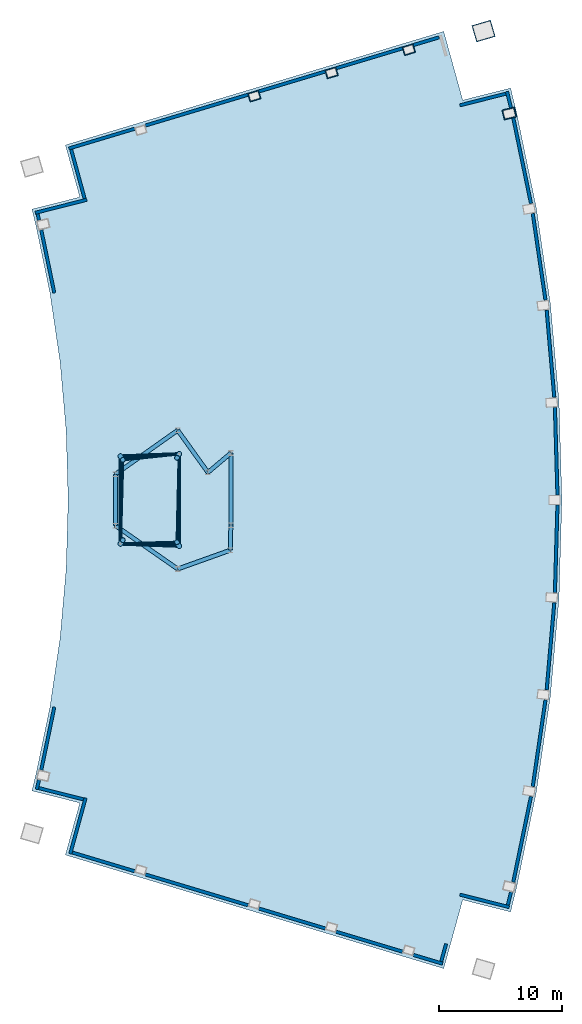
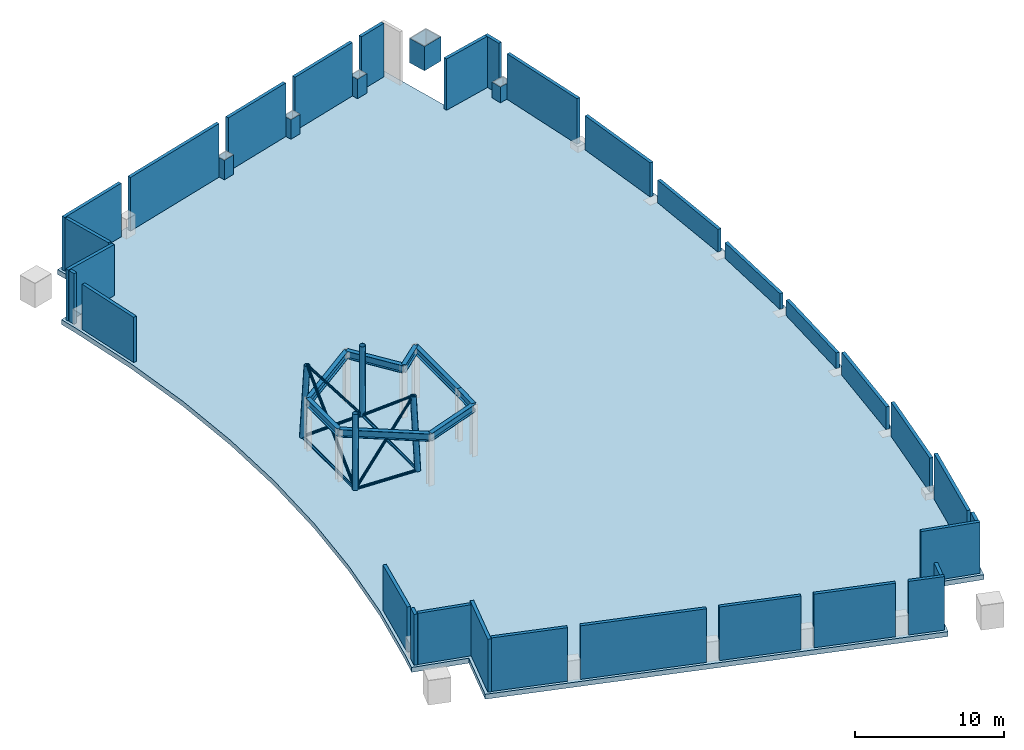
# One storey, part 2 of 4: 31 walls, 12 members, 8 beams, 5 columns, 1 slab.
"""IFC4 building model written with IfcOpenShell, lengths in metres."""

from ifc_helpers import new_model, si_unit, direction, frame, frame_2d, origin, origin_2d, place, context, subcontext, project, spatial, polyline, rectangle, hollow_rectangle, hollow_circle, i_section, outline, extrude, material, layer, layer_set, material_profile, profile_set, type_object, element, save


model = new_model("IFC4")

# Units and contexts
model_context = context("Model", 3, precision=1e-05, world=origin(), true_north=direction((0.0, 1.0)))
body_context = subcontext(model_context, "Body", "Model", "MODEL_VIEW")
ifc_project = project(units=[si_unit("LENGTHUNIT", "METRE"), si_unit("AREAUNIT", "SQUARE_METRE"), si_unit("VOLUMEUNIT", "CUBIC_METRE"), si_unit("PLANEANGLEUNIT", "RADIAN"), si_unit("MASSUNIT", "GRAM", prefix="KILO")], contexts=[model_context])

# Site, building, storey
site_placement = place(None, origin())
site = spatial("IfcSite", under=ifc_project, at=site_placement, CompositionType="ELEMENT")
building_placement = place(site_placement, origin())
building = spatial("IfcBuilding", under=site, at=building_placement, Name="Alderwake Tower", CompositionType="ELEMENT")
storey_placement = place(building_placement, frame((0.0, 0.0, 314.60009765625)))
storey = spatial("IfcBuildingStorey", under=building, at=storey_placement, Name="Roof", CompositionType="ELEMENT", Elevation=314.60009765625)

# Columns
ifc_material_1 = material(Name="Steel ASTM A572 Grade 50 concrete filled C70/85", Category="concrete")
ifc_material_profile_1 = material_profile(ifc_material_1, hollow_rectangle(XDim=0.699951171875, YDim=0.89990234375, WallThickness=0.050048828125, at=origin_2d()), Name="BOX 900X700X50")
ifc_profile_set_1 = profile_set([ifc_material_profile_1], Name="Steel ASTM A572 Grade 50 concrete filled C70/85")
column_type_1 = type_object("IfcColumnType", Name="End column Z5", PredefinedType="COLUMN", material=ifc_profile_set_1)
for number, where, z_axis, x_axis, name in (
    (1, (31.080322265625, 93.72314453125, 0.0), (0.0, 0.0, 1.0), (-0.282582549822, 0.959242984095, 0.0), "Column R12-C2"),
    (2, (37.337890625, 95.601806640625, 0.0), (0.0, 0.0, 1.0), (-0.282847061859, 0.959165022088, 0.0), "Column R12-C3"),
    (3, (43.59521484375, 97.48046875, 0.0), (0.0, 0.0, 1.0), (-0.283086443451, 0.959094398656, 0.0), "Column R12-C4"),
):
    element("IfcColumn", number, at=place(storey_placement, frame(where, z_axis=z_axis, x_axis=x_axis)), inside=storey, type_object=column_type_1, Name=name, PredefinedType="COLUMN", context=body_context, shape_type="SweptSolid", body=[
        extrude(hollow_rectangle(XDim=0.699951171875, YDim=0.89990234375, WallThickness=0.050048828125, at=origin_2d()), origin(), (0.0, 0.0, 1.0), 2.0),
    ])
ifc_material_2 = material(Name="Steel ASTM A572 Grade 50 concrete filled C70/85", Category="concrete")
ifc_material_profile_2 = material_profile(ifc_material_2, hollow_rectangle(XDim=1.39990234375, YDim=1.60009765625, WallThickness=0.070068359375, at=origin_2d()), Name="BOX 1600X1400X70")
ifc_profile_set_2 = profile_set([ifc_material_profile_2], Name="Steel ASTM A572 Grade 50 concrete filled C70/85")
column_type_2 = type_object("IfcColumnType", Name="Mega column Z5", PredefinedType="COLUMN", material=ifc_profile_set_2)
column_1_placement = place(storey_placement, frame((49.6494140625, 98.98681640625, 0.0), z_axis=(0.0, 0.0, 1.0), x_axis=(-0.281175922972, 0.959656240714, 0.0)))
element("IfcColumn", 4, at=column_1_placement, inside=storey, type_object=column_type_2, Name="Column R12-C5", PredefinedType="COLUMN", context=body_context, shape_type="SweptSolid", body=[
    extrude(hollow_rectangle(XDim=1.39990234375, YDim=1.60009765625, WallThickness=0.070068359375, at=origin_2d()), origin(), (0.0, 0.0, 1.0), 2.0),
])
ifc_material_3 = material(Name="Steel ASTM A572 Grade 50 concrete filled C70/85", Category="concrete")
ifc_material_profile_3 = material_profile(ifc_material_3, hollow_rectangle(XDim=0.800048828125, YDim=1.0, WallThickness=0.054931640625, at=origin_2d()), Name="BOX 1000X800X55")
ifc_profile_set_3 = profile_set([ifc_material_profile_3], Name="Steel ASTM A572 Grade 50 concrete filled C70/85")
column_type_3 = type_object("IfcColumnType", Name="Perimeter column Z5", PredefinedType="COLUMN", material=ifc_profile_set_3)
column_2_placement = place(storey_placement, frame((51.730712890625, 92.307373046875, 0.0), z_axis=(0.0, 0.0, 1.0), x_axis=(-0.231221547198, 0.972901123502, 0.0)))
element("IfcColumn", 5, at=column_2_placement, inside=storey, type_object=column_type_3, Name="Column R11-C5", PredefinedType="COLUMN", context=body_context, shape_type="SweptSolid", body=[
    extrude(hollow_rectangle(XDim=0.800048828125, YDim=1.0, WallThickness=0.054931640625, at=origin_2d()), origin(), (0.0, 0.0, 1.0), 1.6943359375),
])

# Beams
ifc_material_4 = material(Name="Steel ASTM A992 Grade 50", Category="steel")
ifc_material_profile_4 = material_profile(ifc_material_4, i_section(OverallWidth=0.32373046875, OverallDepth=0.611083984375, WebThickness=0.0126953125, FlangeThickness=0.01904296875, at=origin_2d()), Name="W24X104")
ifc_profile_set_4 = profile_set([ifc_material_profile_4], Name="Steel ASTM A992 Grade 50")
beam_type = type_object("IfcBeamType", Name="Drum ring beam W24X104", PredefinedType="BEAM", material=ifc_profile_set_4)
beam_1_placement = place(storey_placement, frame((19.830810546875, 58.92333984375, 4.344482421875), z_axis=(0.820790261521, -0.571229679369, 0.0), x_axis=(0.571229679369, 0.820790261521, 0.0)))
element("IfcBeam", 6, at=beam_1_placement, inside=storey, type_object=beam_type, Name="Drum ring beam DB.1", PredefinedType="BEAM", context=body_context, shape_type="SweptSolid", body=[
    extrude(i_section(OverallWidth=0.32373046875, OverallDepth=0.611083984375, WebThickness=0.0126953125, FlangeThickness=0.01904296875, at=origin_2d()), origin(), (0.0, 0.0, 1.0), 6.1484375),
])
beam_2_placement = place(storey_placement, frame((24.87744140625, 55.4111328125, 4.344482421875), z_axis=(0.941502336554, 0.337006454336, 0.0), x_axis=(-0.337006454336, 0.941502336554, 0.0)))
element("IfcBeam", 7, at=beam_2_placement, inside=storey, type_object=beam_type, Name="Drum ring beam DB.2", PredefinedType="BEAM", context=body_context, shape_type="SweptSolid", body=[
    extrude(i_section(OverallWidth=0.32373046875, OverallDepth=0.611083984375, WebThickness=0.0126953125, FlangeThickness=0.01904296875, at=origin_2d()), origin(), (0.0, 0.0, 1.0), 4.5234375),
])
beam_3_placement = place(storey_placement, frame((29.13623046875, 56.935546875, 4.344482421875), z_axis=(0.022115291966, 0.999755427023, 0.0), x_axis=(-0.999755427023, 0.022115291966, 0.0)))
element("IfcBeam", 8, at=beam_3_placement, inside=storey, type_object=beam_type, Name="Drum ring beam DB.3", PredefinedType="BEAM", context=body_context, shape_type="SweptSolid", body=[
    extrude(i_section(OverallWidth=0.32373046875, OverallDepth=0.611083984375, WebThickness=0.0126953125, FlangeThickness=0.01904296875, at=origin_2d()), origin(), (0.0, 0.0, 1.0), 2.03125),
])
beam_4_placement = place(storey_placement, frame((29.18115234375, 58.96630859375, 4.344482421875), z_axis=(0.000919462979, 0.999999577294, 0.0), x_axis=(-0.999999577294, 0.000919462979, 0.0)))
element("IfcBeam", 9, at=beam_4_placement, inside=storey, type_object=beam_type, Name="Drum ring beam DB.4", PredefinedType="BEAM", context=body_context, shape_type="SweptSolid", body=[
    extrude(i_section(OverallWidth=0.32373046875, OverallDepth=0.611083984375, WebThickness=0.0126953125, FlangeThickness=0.01904296875, at=origin_2d()), origin(), (0.0, 0.0, 1.0), 5.841552734375),
])
beam_5_placement = place(storey_placement, frame((29.1865234375, 64.807861328125, 4.344482421875), z_axis=(-0.763382487862, -0.645946729402, 0.0), x_axis=(0.645946729402, -0.763382487862, 0.0)))
element("IfcBeam", 10, at=beam_5_placement, inside=storey, type_object=beam_type, Name="Drum ring beam DB.5", PredefinedType="BEAM", context=body_context, shape_type="SweptSolid", body=[
    extrude(i_section(OverallWidth=0.32373046875, OverallDepth=0.611083984375, WebThickness=0.0126953125, FlangeThickness=0.01904296875, at=origin_2d()), origin(), (0.0, 0.0, 1.0), 2.4384765625),
])
beam_6_placement = place(storey_placement, frame((27.324951171875, 63.232666015625, 4.344482421875), z_axis=(-0.582753639621, 0.812648875904, 0.0), x_axis=(-0.812648875904, -0.582753639621, 0.0)))
element("IfcBeam", 11, at=beam_6_placement, inside=storey, type_object=beam_type, Name="Drum ring beam DB.6", PredefinedType="BEAM", context=body_context, shape_type="SweptSolid", body=[
    extrude(i_section(OverallWidth=0.32373046875, OverallDepth=0.611083984375, WebThickness=0.0126953125, FlangeThickness=0.01904296875, at=origin_2d()), origin(), (0.0, 0.0, 1.0), 4.203369140625),
])
beam_7_placement = place(storey_placement, frame((24.87548828125, 66.6484375, 4.344482421875), z_axis=(-0.816754690264, -0.576985074272, 0.0), x_axis=(0.576985074272, -0.816754690264, 0.0)))
element("IfcBeam", 12, at=beam_7_placement, inside=storey, type_object=beam_type, Name="Drum ring beam DB.7", PredefinedType="BEAM", context=body_context, shape_type="SweptSolid", body=[
    extrude(i_section(OverallWidth=0.32373046875, OverallDepth=0.611083984375, WebThickness=0.0126953125, FlangeThickness=0.01904296875, at=origin_2d()), origin(), (0.0, 0.0, 1.0), 6.19091796875),
])
beam_8_placement = place(storey_placement, frame((19.819091796875, 63.076416015625, 4.344482421875), z_axis=(0.00282169237, -0.999996019018, 0.0), x_axis=(0.999996019018, 0.00282169237, 0.0)))
element("IfcBeam", 13, at=beam_8_placement, inside=storey, type_object=beam_type, Name="Drum ring beam DB.8", PredefinedType="BEAM", context=body_context, shape_type="SweptSolid", body=[
    extrude(i_section(OverallWidth=0.32373046875, OverallDepth=0.611083984375, WebThickness=0.0126953125, FlangeThickness=0.01904296875, at=origin_2d()), origin(), (0.0, 0.0, 1.0), 4.153076171875),
])

# Members
ifc_material_5 = material(Name="Steel ASTM A500 Grade C", Category="steel")
ifc_material_profile_5 = material_profile(ifc_material_5, hollow_circle(Radius=0.084228515625, WallThickness=0.006591796875, at=origin_2d()), Name="HSS6.625X0.280")
ifc_profile_set_5 = profile_set([ifc_material_profile_5], Name="Steel ASTM A500 Grade C")
member_type_1 = type_object("IfcMemberType", Name="Mast diagonal HSS6.625X0.280", PredefinedType="USERDEFINED", material=ifc_profile_set_5)
member_1_placement = place(storey_placement, frame((20.2373046875, 57.451904296875, 0.39990234375), z_axis=(0.6069413699, 0.017426165151, 0.794555537563), x_axis=(-0.028699620502, 0.999588081053, 0.0)))
element("IfcMember", 14, at=member_1_placement, inside=storey, type_object=member_type_1, Name="Mast diagonal MD1.1", ObjectType="MAST", PredefinedType="USERDEFINED", context=body_context, shape_type="SweptSolid", body=[
    extrude(hollow_circle(Radius=0.084228515625, WallThickness=0.006591796875, at=origin_2d()), origin(), (0.0, 0.0, 1.0), 7.55126953125),
])
member_2_placement = place(storey_placement, frame((24.990478515625, 64.72998046875, 0.39990234375), z_axis=(-0.604469756796, -0.063267856086, 0.794111762603), x_axis=(0.104098052217, -0.994567039231, 0.0)))
element("IfcMember", 15, at=member_2_placement, inside=storey, type_object=member_type_1, Name="Mast diagonal MD2.1", ObjectType="MAST", PredefinedType="USERDEFINED", context=body_context, shape_type="SweptSolid", body=[
    extrude(hollow_circle(Radius=0.084228515625, WallThickness=0.006591796875, at=origin_2d()), origin(), (0.0, 0.0, 1.0), 7.5556640625),
])
member_3_placement = place(storey_placement, frame((20.2373046875, 57.451904296875, 0.39990234375), z_axis=(0.020509749544, 0.749682485621, 0.66147979631), x_axis=(-0.999625982188, 0.027347682419, 0.0)))
element("IfcMember", 16, at=member_3_placement, inside=storey, type_object=member_type_1, Name="Mast diagonal MD3.1", ObjectType="MAST", PredefinedType="USERDEFINED", context=body_context, shape_type="SweptSolid", body=[
    extrude(hollow_circle(Radius=0.084228515625, WallThickness=0.006591796875, at=origin_2d()), origin(), (0.0, 0.0, 1.0), 9.070556640625),
])
member_4_placement = place(storey_placement, frame((24.990478515625, 64.72998046875, 0.39990234375), z_axis=(-0.01820696012, -0.76573870205, 0.642894040092), x_axis=(0.999717447214, -0.023770269994, 0.0)))
element("IfcMember", 17, at=member_4_placement, inside=storey, type_object=member_type_1, Name="Mast diagonal MD4.1", ObjectType="MAST", PredefinedType="USERDEFINED", context=body_context, shape_type="SweptSolid", body=[
    extrude(hollow_circle(Radius=0.084228515625, WallThickness=0.006591796875, at=origin_2d()), origin(), (0.0, 0.0, 1.0), 9.332763671875),
])
ifc_material_6 = material(Name="Steel ASTM A500 Grade C", Category="steel")
ifc_material_profile_6 = material_profile(ifc_material_6, hollow_circle(Radius=0.203125, WallThickness=0.01171875, at=origin_2d()), Name="HSS16.000X0.500")
ifc_profile_set_6 = profile_set([ifc_material_profile_6], Name="Steel ASTM A500 Grade C")
member_type_2 = type_object("IfcMemberType", Name="Mast leg HSS16.000X0.500", PredefinedType="USERDEFINED", material=ifc_profile_set_6)
member_5_placement = place(storey_placement, frame((20.2373046875, 57.451904296875, 0.39990234375), z_axis=(0.030953322217, 0.049273464369, 0.998305573235), x_axis=(-0.846780302304, 0.531942778529, 0.0)))
element("IfcMember", 18, at=member_5_placement, inside=storey, type_object=member_type_2, Name="Mast leg ML1.1", ObjectType="MAST", PredefinedType="USERDEFINED", context=body_context, shape_type="SweptSolid", body=[
    extrude(hollow_circle(Radius=0.203125, WallThickness=0.01171875, at=origin_2d()), origin(), (0.0, 0.0, 1.0), 6.01025390625),
])
member_6_placement = place(storey_placement, frame((24.98974609375, 57.269775390625, 0.39990234375), z_axis=(-0.028148617012, 0.052194766033, 0.998240132312), x_axis=(-0.880163000135, -0.474671563497, 0.0)))
element("IfcMember", 19, at=member_6_placement, inside=storey, type_object=member_type_2, Name="Mast leg ML2.1", ObjectType="MAST", PredefinedType="USERDEFINED", context=body_context, shape_type="SweptSolid", body=[
    extrude(hollow_circle(Radius=0.203125, WallThickness=0.01171875, at=origin_2d()), origin(), (0.0, 0.0, 1.0), 6.010498046875),
])
member_7_placement = place(storey_placement, frame((20.2373046875, 64.548095703125, 0.39990234375), z_axis=(0.030953322217, -0.049273464369, 0.998305573235), x_axis=(0.846780302304, 0.531942778529, 0.0)))
element("IfcMember", 20, at=member_7_placement, inside=storey, type_object=member_type_2, Name="Mast leg ML3.1", ObjectType="MAST", PredefinedType="USERDEFINED", context=body_context, shape_type="SweptSolid", body=[
    extrude(hollow_circle(Radius=0.203125, WallThickness=0.01171875, at=origin_2d()), origin(), (0.0, 0.0, 1.0), 6.01025390625),
])
member_8_placement = place(storey_placement, frame((24.990478515625, 64.72998046875, 0.39990234375), z_axis=(-0.028148617012, -0.052194766033, 0.998240132312), x_axis=(0.880163000135, -0.474671563497, 0.0)))
element("IfcMember", 21, at=member_8_placement, inside=storey, type_object=member_type_2, Name="Mast leg ML4.1", ObjectType="MAST", PredefinedType="USERDEFINED", context=body_context, shape_type="SweptSolid", body=[
    extrude(hollow_circle(Radius=0.203125, WallThickness=0.01171875, at=origin_2d()), origin(), (0.0, 0.0, 1.0), 6.010498046875),
])
ifc_material_7 = material(Name="Steel ASTM A500 Grade C", Category="steel")
ifc_material_profile_7 = material_profile(ifc_material_7, hollow_circle(Radius=0.109619140625, WallThickness=0.007568359375, at=origin_2d()), Name="HSS8.625X0.322")
ifc_profile_set_7 = profile_set([ifc_material_profile_7], Name="Steel ASTM A500 Grade C")
member_type_3 = type_object("IfcMemberType", Name="Mast ring HSS8.625X0.322", PredefinedType="USERDEFINED", material=ifc_profile_set_7)
member_9_placement = place(storey_placement, frame((20.2373046875, 57.451904296875, 0.39990234375), z_axis=(0.999266472895, -0.038295119119, 0.0), x_axis=(0.038295119119, 0.999266472895, 0.0)))
element("IfcMember", 22, at=member_9_placement, inside=storey, type_object=member_type_3, Name="Mast ring MH1.0", ObjectType="MAST", PredefinedType="USERDEFINED", context=body_context, shape_type="SweptSolid", body=[
    extrude(hollow_circle(Radius=0.109619140625, WallThickness=0.007568359375, at=origin_2d()), origin(), (0.0, 0.0, 1.0), 4.755859375),
])
member_10_placement = place(storey_placement, frame((20.2373046875, 64.548095703125, 0.39990234375), z_axis=(0.999268661172, 0.038237975888, 0.0), x_axis=(-0.038237975888, 0.999268661172, 0.0)))
element("IfcMember", 23, at=member_10_placement, inside=storey, type_object=member_type_3, Name="Mast ring MH2.0", ObjectType="MAST", PredefinedType="USERDEFINED", context=body_context, shape_type="SweptSolid", body=[
    extrude(hollow_circle(Radius=0.109619140625, WallThickness=0.007568359375, at=origin_2d()), origin(), (0.0, 0.0, 1.0), 4.756591796875),
])
member_11_placement = place(storey_placement, frame((20.2373046875, 57.451904296875, 0.39990234375), z_axis=(0.0, 1.0, 0.0), x_axis=(-1.0, 0.0, 0.0)))
element("IfcMember", 24, at=member_11_placement, inside=storey, type_object=member_type_3, Name="Mast ring MH3.0", ObjectType="MAST", PredefinedType="USERDEFINED", context=body_context, shape_type="SweptSolid", body=[
    extrude(hollow_circle(Radius=0.109619140625, WallThickness=0.007568359375, at=origin_2d()), origin(), (0.0, 0.0, 1.0), 7.09619140625),
])
member_12_placement = place(storey_placement, frame((24.98974609375, 57.269775390625, 0.39990234375), z_axis=(9.8177177e-05, 0.999999995181, 0.0), x_axis=(-0.999999995181, 9.8177177e-05, 0.0)))
element("IfcMember", 25, at=member_12_placement, inside=storey, type_object=member_type_3, Name="Mast ring MH4.0", ObjectType="MAST", PredefinedType="USERDEFINED", context=body_context, shape_type="SweptSolid", body=[
    extrude(hollow_circle(Radius=0.109619140625, WallThickness=0.007568359375, at=origin_2d()), origin(), (0.0, 0.0, 1.0), 7.460205078125),
])

# Slab
ifc_material_8 = material(Name="Concrete C50/60", Category="concrete")
ifc_layer_1 = layer(ifc_material_8, 0.39990234375)
ifc_layer_set_1 = layer_set([ifc_layer_1], Name="Concrete C50/60 roof slab 400")
slab_type = type_object("IfcSlabType", Name="Concrete C50/60 roof slab 400", PredefinedType="ROOF", material=ifc_layer_set_1)
slab_placement = place(storey_placement, origin())
element("IfcSlab", 26, at=slab_placement, inside=storey, type_object=slab_type, Name="Roof slab L75", PredefinedType="ROOF", context=body_context, shape_type="SweptSolid", body=[
    extrude(outline(polyline([(15.776611328125, 32.2451171875), (46.425048828125, 23.04345703125), (47.964111328125, 28.609130859375), (51.841796875, 27.627685546875), (52.314453125, 29.5537109375), (53.9228515625, 37.3212890625), (55.075439453125, 45.169189453125), (55.768798828125, 53.0712890625), (56.0, 61.0), (55.768798828125, 68.9287109375), (55.075439453125, 76.830810546875), (53.9228515625, 84.6787109375), (52.314453125, 92.4462890625), (51.841796875, 94.372314453125), (47.964111328125, 93.390869140625), (46.425048828125, 98.95654296875), (15.776611328125, 89.7548828125), (16.942626953125, 85.53857421875), (13.06494140625, 84.556884765625), (13.3984375, 83.197265625), (14.53369140625, 77.71435546875), (15.347412109375, 72.174560546875), (15.836669921875, 66.5966796875), (16.0, 61.0), (15.836669921875, 55.4033203125), (15.347412109375, 49.825439453125), (14.53369140625, 44.28564453125), (13.3984375, 38.802734375), (13.06494140625, 37.443115234375), (16.942626953125, 36.46142578125), (15.776611328125, 32.2451171875)])), origin(), (0.0, 0.0, 1.0), 0.39990234375),
])

# Walls
ifc_material_9 = material(Name="Precast concrete C50/60 spandrel panel", Category="concrete")
ifc_layer_2 = layer(ifc_material_9, 0.25)
ifc_layer_set_2 = layer_set([ifc_layer_2], Name="Roof parapet PA1 Precast concrete C50/60")
wall_type = type_object("IfcWallType", Name="Roof parapet PA1 Precast concrete C50/60", PredefinedType="PARAPET", material=ifc_layer_set_2)
wall_1_placement = place(storey_placement, frame((13.643310546875, 38.33154296875, 0.39990234375), z_axis=(0.0, 0.0, 1.0), x_axis=(-0.238313493867, -0.971188281767, 0.0)))
element("IfcWall", 27, at=wall_1_placement, inside=storey, type_object=wall_type, Name="External wall 2", PredefinedType="PARAPET", context=body_context, shape_type="SweptSolid", body=[
    extrude(rectangle(XDim=0.80322265625, YDim=0.25, at=frame_2d((0.401611328125, 0.0))), origin(), (0.0, 0.0, 1.0), 4.173583984375),
])
wall_2_placement = place(storey_placement, frame((13.633056640625, 37.660400390625, 0.39990234375), z_axis=(0.0, 0.0, 1.0), x_axis=(0.969417366605, -0.245417948254, 0.0)))
element("IfcWall", 28, at=wall_2_placement, inside=storey, type_object=wall_type, Name="External wall 4", PredefinedType="PARAPET", context=body_context, shape_type="SweptSolid", body=[
    extrude(rectangle(XDim=3.70556640625, YDim=0.25, at=frame_2d((1.852783203125, 0.0))), origin(), (0.0, 0.0, 1.0), 4.19677734375),
])
wall_3_placement = place(storey_placement, frame((17.410400390625, 36.85888671875, 0.39990234375), z_axis=(0.0, 0.0, 1.0), x_axis=(-0.264592640785, -0.96436027212, 0.0)))
element("IfcWall", 29, at=wall_3_placement, inside=storey, type_object=wall_type, Name="External wall 6", PredefinedType="PARAPET", context=body_context, shape_type="SweptSolid", body=[
    extrude(rectangle(XDim=4.690185546875, YDim=0.25, at=frame_2d((2.34521484375, 0.0))), origin(), (0.0, 0.0, 1.0), 4.3408203125),
])
wall_4_placement = place(storey_placement, frame((16.352783203125, 32.4375, 0.39990234375), z_axis=(0.0, 0.0, 1.0), x_axis=(0.957768668152, -0.287539872551, 0.0)))
element("IfcWall", 30, at=wall_4_placement, inside=storey, type_object=wall_type, Name="External wall 8", PredefinedType="PARAPET", context=body_context, shape_type="SweptSolid", body=[
    extrude(rectangle(XDim=5.249755859375, YDim=0.25, at=frame_2d((2.625, 0.0))), origin(), (0.0, 0.0, 1.0), 4.39892578125),
])
wall_5_placement = place(storey_placement, frame((22.24658203125, 30.668212890625, 0.39990234375), z_axis=(0.0, 0.0, 1.0), x_axis=(0.957762902908, -0.287559075345, 0.0)))
element("IfcWall", 31, at=wall_5_placement, inside=storey, type_object=wall_type, Name="External wall 10", PredefinedType="PARAPET", context=body_context, shape_type="SweptSolid", body=[
    extrude(rectangle(XDim=8.696533203125, YDim=0.25, at=frame_2d((4.34814453125, 0.0))), origin(), (0.0, 0.0, 1.0), 4.399169921875),
])
wall_6_placement = place(storey_placement, frame((31.441162109375, 27.90771484375, 0.39990234375), z_axis=(0.0, 0.0, 1.0), x_axis=(0.957764198898, -0.287554758802, 0.0)))
element("IfcWall", 32, at=wall_6_placement, inside=storey, type_object=wall_type, Name="External wall 12", PredefinedType="PARAPET", context=body_context, shape_type="SweptSolid", body=[
    extrude(rectangle(XDim=5.6298828125, YDim=0.25, at=frame_2d((2.81494140625, 0.0))), origin(), (0.0, 0.0, 1.0), 4.399169921875),
])
wall_7_placement = place(storey_placement, frame((37.698486328125, 26.029052734375, 0.39990234375), z_axis=(0.0, 0.0, 1.0), x_axis=(0.957755841517, -0.287582593423, 0.0)))
element("IfcWall", 33, at=wall_7_placement, inside=storey, type_object=wall_type, Name="External wall 14", PredefinedType="PARAPET", context=body_context, shape_type="SweptSolid", body=[
    extrude(rectangle(XDim=5.630126953125, YDim=0.25, at=frame_2d((2.81494140625, 0.0))), origin(), (0.0, 0.0, 1.0), 4.3994140625),
])
wall_8_placement = place(storey_placement, frame((43.9560546875, 24.150390625, 0.39990234375), z_axis=(0.0, 0.0, 1.0), x_axis=(0.957747659823, -0.287609840068, 0.0)))
element("IfcWall", 34, at=wall_8_placement, inside=storey, type_object=wall_type, Name="External wall 16", PredefinedType="PARAPET", context=body_context, shape_type="SweptSolid", body=[
    extrude(rectangle(XDim=2.4794921875, YDim=0.25, at=frame_2d((1.23974609375, 0.0))), origin(), (0.0, 0.0, 1.0), 4.3994140625),
])
wall_9_placement = place(storey_placement, frame((46.22705078125, 23.625, 0.39990234375), z_axis=(0.0, 0.0, 1.0), x_axis=(0.264962940646, 0.964258596065, 0.0)))
element("IfcWall", 35, at=wall_9_placement, inside=storey, type_object=wall_type, Name="External wall 18", PredefinedType="PARAPET", context=body_context, shape_type="SweptSolid", body=[
    extrude(rectangle(XDim=1.466064453125, YDim=0.25, at=frame_2d((0.73291015625, 0.0))), origin(), (0.0, 0.0, 1.0), 4.391845703125),
])
wall_10_placement = place(storey_placement, frame((47.7412109375, 29.026611328125, 0.39990234375), z_axis=(0.0, 0.0, 1.0), x_axis=(0.969426555578, -0.245381648337, 0.0)))
element("IfcWall", 36, at=wall_10_placement, inside=storey, type_object=wall_type, Name="External wall 20", PredefinedType="PARAPET", context=body_context, shape_type="SweptSolid", body=[
    extrude(rectangle(XDim=4.115966796875, YDim=0.25, at=frame_2d((2.05810546875, 0.0))), origin(), (0.0, 0.0, 1.0), 4.20458984375),
])
wall_11_placement = place(storey_placement, frame((51.621826171875, 28.19921875, 0.39990234375), z_axis=(0.0, 0.0, 1.0), x_axis=(0.238302541545, 0.971190969219, 0.0)))
element("IfcWall", 37, at=wall_11_placement, inside=storey, type_object=wall_type, Name="External wall 22", PredefinedType="PARAPET", context=body_context, shape_type="SweptSolid", body=[
    extrude(rectangle(XDim=1.07275390625, YDim=0.25, at=frame_2d((0.536376953125, 0.0))), origin(), (0.0, 0.0, 1.0), 4.1611328125),
])
wall_12_placement = place(storey_placement, frame((52.0595703125, 30.047607421875, 0.39990234375), z_axis=(0.0, 0.0, 1.0), x_axis=(0.202747225934, 0.979231107745, 0.0)))
element("IfcWall", 38, at=wall_12_placement, inside=storey, type_object=wall_type, Name="External wall 24", PredefinedType="PARAPET", context=body_context, shape_type="SweptSolid", body=[
    extrude(rectangle(XDim=7.068359375, YDim=0.25, at=frame_2d((3.5341796875, 0.0))), origin(), (0.0, 0.0, 1.0), 3.740478515625),
])
wall_13_placement = place(storey_placement, frame((53.639404296875, 37.799560546875, 0.39990234375), z_axis=(0.0, 0.0, 1.0), x_axis=(0.145313007309, 0.989385733628, 0.0)))
element("IfcWall", 39, at=wall_13_placement, inside=storey, type_object=wall_type, Name="External wall 26", PredefinedType="PARAPET", context=body_context, shape_type="SweptSolid", body=[
    extrude(rectangle(XDim=7.068115234375, YDim=0.25, at=frame_2d((3.5341796875, 0.0))), origin(), (0.0, 0.0, 1.0), 2.800048828125),
])
wall_14_placement = place(storey_placement, frame((54.7646484375, 45.630126953125, 0.39990234375), z_axis=(0.0, 0.0, 1.0), x_axis=(0.087386754423, 0.996174460198, 0.0)))
element("IfcWall", 40, at=wall_14_placement, inside=storey, type_object=wall_type, Name="External wall 28", PredefinedType="PARAPET", context=body_context, shape_type="SweptSolid", body=[
    extrude(rectangle(XDim=7.068359375, YDim=0.25, at=frame_2d((3.5341796875, 0.0))), origin(), (0.0, 0.0, 1.0), 1.859619140625),
])
for number, where, z_axis, x_axis, name in (
    (41, (55.431640625, 53.512939453125, 0.39990234375), (0.0, 0.0, 1.0), (0.029150386351, 0.999575037191, 0.0), "External wall 30"),
    (42, (55.6376953125, 61.42138671875, 0.39990234375), (0.0, 0.0, 1.0), (-0.029150386351, 0.999575037191, 0.0), "External wall 32"),
):
    element("IfcWall", number, at=place(storey_placement, frame(where, z_axis=z_axis, x_axis=x_axis)), inside=storey, type_object=wall_type, Name=name, PredefinedType="PARAPET", context=body_context, shape_type="SweptSolid", body=[
        extrude(rectangle(XDim=7.068603515625, YDim=0.25, at=frame_2d((3.5341796875, 0.0))), origin(), (0.0, 0.0, 1.0), 1.2783203125),
    ])
wall_15_placement = place(storey_placement, frame((55.38232421875, 69.32861328125, 0.39990234375), z_axis=(0.0, 0.0, 1.0), x_axis=(-0.087386754423, 0.996174460198, 0.0)))
element("IfcWall", 43, at=wall_15_placement, inside=storey, type_object=wall_type, Name="External wall 34", PredefinedType="PARAPET", context=body_context, shape_type="SweptSolid", body=[
    extrude(rectangle(XDim=7.068359375, YDim=0.25, at=frame_2d((3.5341796875, 0.0))), origin(), (0.0, 0.0, 1.0), 1.859619140625),
])
wall_16_placement = place(storey_placement, frame((54.66650390625, 77.207275390625, 0.39990234375), z_axis=(0.0, 0.0, 1.0), x_axis=(-0.145313007309, 0.989385733628, 0.0)))
element("IfcWall", 44, at=wall_16_placement, inside=storey, type_object=wall_type, Name="External wall 36", PredefinedType="PARAPET", context=body_context, shape_type="SweptSolid", body=[
    extrude(rectangle(XDim=7.068115234375, YDim=0.25, at=frame_2d((3.5341796875, 0.0))), origin(), (0.0, 0.0, 1.0), 2.800048828125),
])
wall_17_placement = place(storey_placement, frame((53.49267578125, 85.03076171875, 0.39990234375), z_axis=(0.0, 0.0, 1.0), x_axis=(-0.202747225934, 0.979231107745, 0.0)))
element("IfcWall", 45, at=wall_17_placement, inside=storey, type_object=wall_type, Name="External wall 38", PredefinedType="PARAPET", context=body_context, shape_type="SweptSolid", body=[
    extrude(rectangle(XDim=7.068359375, YDim=0.25, at=frame_2d((3.5341796875, 0.0))), origin(), (0.0, 0.0, 1.0), 3.740478515625),
])
wall_18_placement = place(storey_placement, frame((51.87744140625, 92.759033203125, 0.39990234375), z_axis=(0.0, 0.0, 1.0), x_axis=(-0.238306983732, 0.971189879223, 0.0)))
element("IfcWall", 46, at=wall_18_placement, inside=storey, type_object=wall_type, Name="External wall 40", PredefinedType="PARAPET", context=body_context, shape_type="SweptSolid", body=[
    extrude(rectangle(XDim=1.372802734375, YDim=0.25, at=frame_2d((0.6865234375, 0.0))), origin(), (0.0, 0.0, 1.0), 4.1708984375),
])
wall_19_placement = place(storey_placement, frame((51.440673828125, 93.909912109375, 0.39990234375), z_axis=(0.0, 0.0, 1.0), x_axis=(-0.969419457145, -0.245409690332, 0.0)))
element("IfcWall", 47, at=wall_19_placement, inside=storey, type_object=wall_type, Name="External wall 42", PredefinedType="PARAPET", context=body_context, shape_type="SweptSolid", body=[
    extrude(rectangle(XDim=3.816162109375, YDim=0.25, at=frame_2d((1.908203125, 0.0))), origin(), (0.0, 0.0, 1.0), 4.20458984375),
])
wall_20_placement = place(storey_placement, frame((46.043701171875, 98.4765625, 0.39990234375), z_axis=(0.0, 0.0, 1.0), x_axis=(-0.957743012987, -0.287625313689, 0.0)))
element("IfcWall", 48, at=wall_20_placement, inside=storey, type_object=wall_type, Name="External wall 46", PredefinedType="PARAPET", context=body_context, shape_type="SweptSolid", body=[
    extrude(rectangle(XDim=2.1796875, YDim=0.25, at=frame_2d((1.08984375, 0.0))), origin(), (0.0, 0.0, 1.0), 4.3994140625),
])
wall_21_placement = place(storey_placement, frame((43.0908203125, 97.590087890625, 0.39990234375), z_axis=(0.0, 0.0, 1.0), x_axis=(-0.957755841517, -0.287582593423, 0.0)))
element("IfcWall", 49, at=wall_21_placement, inside=storey, type_object=wall_type, Name="External wall 48", PredefinedType="PARAPET", context=body_context, shape_type="SweptSolid", body=[
    extrude(rectangle(XDim=5.630126953125, YDim=0.25, at=frame_2d((2.81494140625, 0.0))), origin(), (0.0, 0.0, 1.0), 4.3994140625),
])
wall_22_placement = place(storey_placement, frame((36.833251953125, 95.711181640625, 0.39990234375), z_axis=(0.0, 0.0, 1.0), x_axis=(-0.957764198898, -0.287554758802, 0.0)))
element("IfcWall", 50, at=wall_22_placement, inside=storey, type_object=wall_type, Name="External wall 50", PredefinedType="PARAPET", context=body_context, shape_type="SweptSolid", body=[
    extrude(rectangle(XDim=5.6298828125, YDim=0.25, at=frame_2d((2.81494140625, 0.0))), origin(), (0.0, 0.0, 1.0), 4.399169921875),
])
wall_23_placement = place(storey_placement, frame((30.57568359375, 93.83251953125, 0.39990234375), z_axis=(0.0, 0.0, 1.0), x_axis=(-0.957762902908, -0.287559075345, 0.0)))
element("IfcWall", 51, at=wall_23_placement, inside=storey, type_object=wall_type, Name="External wall 52", PredefinedType="PARAPET", context=body_context, shape_type="SweptSolid", body=[
    extrude(rectangle(XDim=8.696533203125, YDim=0.25, at=frame_2d((4.34814453125, 0.0))), origin(), (0.0, 0.0, 1.0), 4.399169921875),
])
wall_24_placement = place(storey_placement, frame((21.380859375, 91.072021484375, 0.39990234375), z_axis=(0.0, 0.0, 1.0), x_axis=(-0.957769358194, -0.287537574074, 0.0)))
element("IfcWall", 52, at=wall_24_placement, inside=storey, type_object=wall_type, Name="External wall 54", PredefinedType="PARAPET", context=body_context, shape_type="SweptSolid", body=[
    extrude(rectangle(XDim=5.549560546875, YDim=0.25, at=frame_2d((2.77490234375, 0.0))), origin(), (0.0, 0.0, 1.0), 4.39892578125),
])
wall_25_placement = place(storey_placement, frame((16.248779296875, 89.374755859375, 0.39990234375), z_axis=(0.0, 0.0, 1.0), x_axis=(0.264607053468, -0.964356317579, 0.0)))
element("IfcWall", 53, at=wall_25_placement, inside=storey, type_object=wall_type, Name="External wall 56", PredefinedType="PARAPET", context=body_context, shape_type="SweptSolid", body=[
    extrude(rectangle(XDim=4.090087890625, YDim=0.25, at=frame_2d((2.044921875, 0.0))), origin(), (0.0, 0.0, 1.0), 4.3408203125),
])
wall_26_placement = place(storey_placement, frame((17.51611328125, 85.32275390625, 0.39990234375), z_axis=(0.0, 0.0, 1.0), x_axis=(-0.969417740682, -0.245416470617, 0.0)))
element("IfcWall", 54, at=wall_26_placement, inside=storey, type_object=wall_type, Name="External wall 58", PredefinedType="PARAPET", context=body_context, shape_type="SweptSolid", body=[
    extrude(rectangle(XDim=4.305419921875, YDim=0.25, at=frame_2d((2.15283203125, 0.0))), origin(), (0.0, 0.0, 1.0), 4.19677734375),
])
wall_27_placement = place(storey_placement, frame((13.523193359375, 84.1572265625, 0.39990234375), z_axis=(0.0, 0.0, 1.0), x_axis=(0.238653145818, -0.971104873838, 0.0)))
element("IfcWall", 55, at=wall_27_placement, inside=storey, type_object=wall_type, Name="External wall 60", PredefinedType="PARAPET", context=body_context, shape_type="SweptSolid", body=[
    extrude(rectangle(XDim=0.50341796875, YDim=0.25, at=frame_2d((0.251708984375, 0.0))), origin(), (0.0, 0.0, 1.0), 4.15966796875),
])
for number, where, z_axis, x_axis, name in (
    (56, (13.821533203125, 82.879638671875, 0.39990234375), (0.0, 0.0, 1.0), (0.202760516883, -0.979228355795, 0.0), "External wall 62"),
    (57, (14.878173828125, 44.223388671875, 0.39990234375), (0.0, 0.0, 1.0), (-0.202760516883, -0.979228355795, 0.0), "External wall 64"),
):
    element("IfcWall", number, at=place(storey_placement, frame(where, z_axis=z_axis, x_axis=x_axis)), inside=storey, type_object=wall_type, Name=name, PredefinedType="PARAPET", context=body_context, shape_type="SweptSolid", body=[
        extrude(rectangle(XDim=5.211181640625, YDim=0.25, at=frame_2d((2.60546875, 0.0))), origin(), (0.0, 0.0, 1.0), 3.7109375),
    ])

save(model, "model.ifc")
